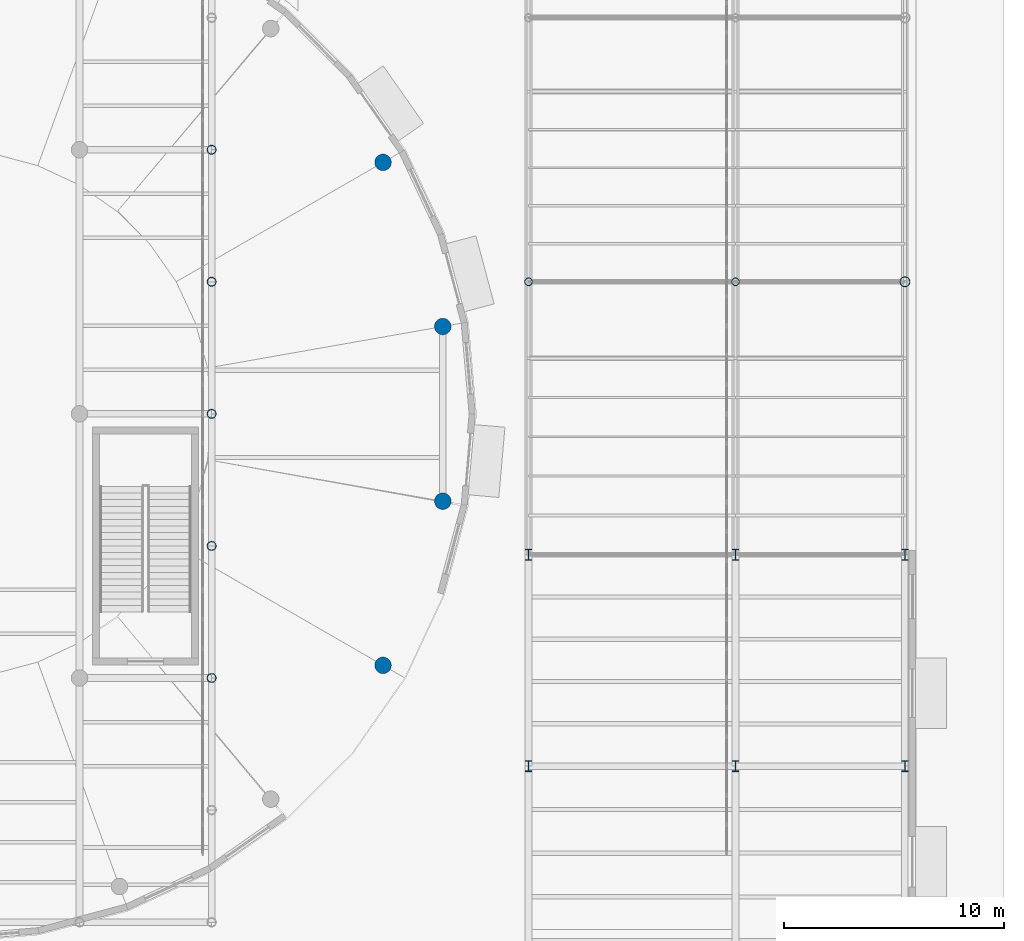
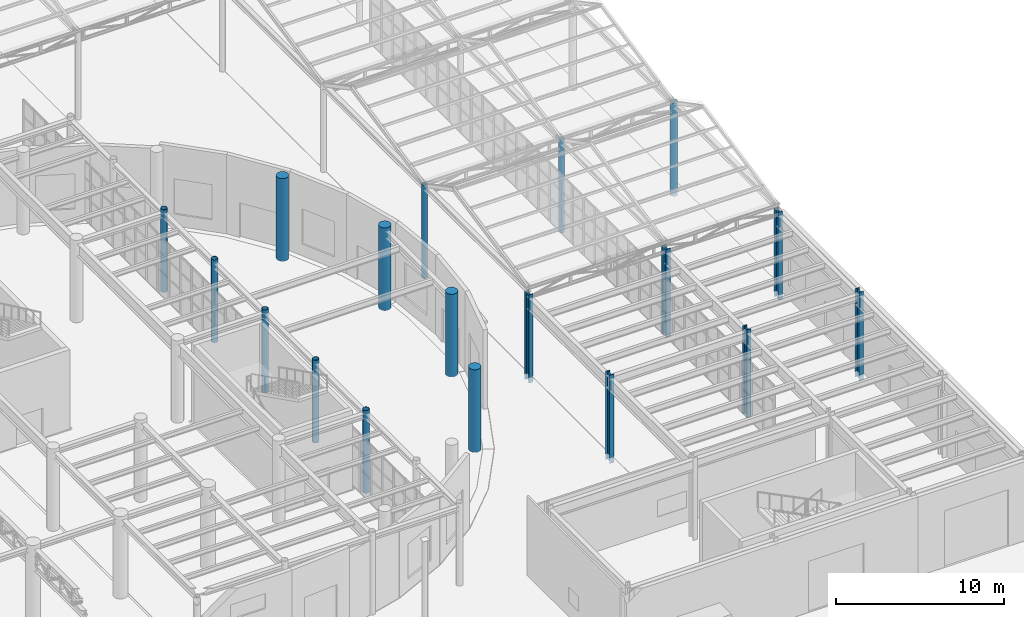
# One storey, part 14 of 118: 18 columns.
"""IFC4 building model written with IfcOpenShell, lengths in metres."""

from ifc_helpers import new_model, si_unit, direction, frame, origin, origin_2d, place, context, subcontext, project, spatial, circle, hollow_circle, i_section, extrude, material, material_profile, profile_set, type_object, element, save


model = new_model("IFC4")

# Units and contexts
model_context = context("Model", 3, precision=1e-05, world=origin(), true_north=direction((0.0, 1.0)))
body_context = subcontext(model_context, "Body", "Model", "MODEL_VIEW")
ifc_project = project(units=[si_unit("LENGTHUNIT", "METRE"), si_unit("AREAUNIT", "SQUARE_METRE"), si_unit("VOLUMEUNIT", "CUBIC_METRE"), si_unit("PLANEANGLEUNIT", "RADIAN"), si_unit("MASSUNIT", "GRAM", prefix="KILO")], contexts=[model_context])

# Site, building, storey
site_placement = place(None, origin())
site = spatial("IfcSite", under=ifc_project, at=site_placement, CompositionType="ELEMENT")
building_placement = place(site_placement, origin())
building = spatial("IfcBuilding", under=site, at=building_placement, Name="Kolvaren Corner Interchange", CompositionType="ELEMENT")
storey_placement = place(building_placement, origin())
storey = spatial("IfcBuildingStorey", under=building, at=storey_placement, Name="L01", CompositionType="ELEMENT", Elevation=0.0)

# Columns
ifc_material_1 = material(Name="Steel S355", Category="steel")
ifc_material_profile_1 = material_profile(ifc_material_1, hollow_circle(Radius=0.177734375, WallThickness=0.01416015625, at=origin_2d()), Name="CHS 355.6x14.2")
ifc_profile_set_1 = profile_set([ifc_material_profile_1], Name="Steel S355")
column_type_1 = type_object("IfcColumnType", Name="COL-CHS356", PredefinedType="COLUMN", material=ifc_profile_set_1)
for number, where, z_axis, x_axis, name in (
    (1, (146.39990234375, 54.0, -0.39990234375), (0.0, 0.0, 1.0), (1.0, 0.0, 0.0), "Storey L01 Structural Column 0962"),
    (2, (155.800048828125, 54.0, -0.39990234375), (0.0, 0.0, 1.0), (1.0, 0.0, 0.0), "Storey L01 Structural Column 0976"),
):
    element("IfcColumn", number, at=place(storey_placement, frame(where, z_axis=z_axis, x_axis=x_axis)), inside=storey, type_object=column_type_1, Name=name, PredefinedType="COLUMN", context=body_context, shape_type="SweptSolid", body=[
        extrude(hollow_circle(Radius=0.177734375, WallThickness=0.01416015625, at=origin_2d()), origin(), (0.0, 0.0, 1.0), 6.75),
    ])
ifc_material_2 = material(Name="Steel S355", Category="steel")
ifc_material_profile_2 = material_profile(ifc_material_2, hollow_circle(Radius=0.203125, WallThickness=0.01611328125, at=origin_2d()), Name="CHS 406.4x16.0")
ifc_profile_set_2 = profile_set([ifc_material_profile_2], Name="Steel S355")
column_type_2 = type_object("IfcColumnType", Name="COL-CHS406", PredefinedType="COLUMN", material=ifc_profile_set_2)
for number, where, z_axis, x_axis, name in (
    (3, (132.0, 36.0, 0.0), (0.0, 0.0, 1.0), (1.0, 0.0, 0.0), "Storey L01 Structural Column 0756"),
    (4, (132.0, 42.0, 0.0), (0.0, 0.0, 1.0), (1.0, 0.0, 0.0), "Storey L01 Structural Column 0760"),
    (5, (132.0, 48.0, 0.0), (0.0, 0.0, 1.0), (1.0, 0.0, 0.0), "Storey L01 Structural Column 0764"),
    (6, (132.0, 54.0, 0.0), (0.0, 0.0, 1.0), (1.0, 0.0, 0.0), "Storey L01 Structural Column 0768"),
    (7, (132.0, 60.0, 0.0), (0.0, 0.0, 1.0), (1.0, 0.0, 0.0), "Storey L01 Structural Column 0772"),
):
    element("IfcColumn", number, at=place(storey_placement, frame(where, z_axis=z_axis, x_axis=x_axis)), inside=storey, type_object=column_type_2, Name=name, PredefinedType="COLUMN", context=body_context, shape_type="SweptSolid", body=[
        extrude(hollow_circle(Radius=0.203125, WallThickness=0.01611328125, at=origin_2d()), origin(), (0.0, 0.0, 1.0), 6.0),
    ])
ifc_material_3 = material(Name="Steel S355", Category="steel")
ifc_material_profile_3 = material_profile(ifc_material_3, hollow_circle(Radius=0.228515625, WallThickness=0.01611328125, at=origin_2d()), Name="CHS 457.0x16.0")
ifc_profile_set_3 = profile_set([ifc_material_profile_3], Name="Steel S355")
column_type_3 = type_object("IfcColumnType", Name="COL-CHS457", PredefinedType="COLUMN", material=ifc_profile_set_3)
column_placement = place(storey_placement, frame((163.5, 54.0, -0.39990234375), z_axis=(0.0, 0.0, 1.0), x_axis=(1.0, 0.0, 0.0)))
element("IfcColumn", 8, at=column_placement, inside=storey, type_object=column_type_3, Name="Storey L01 Structural Column 0990", PredefinedType="COLUMN", context=body_context, shape_type="SweptSolid", body=[
    extrude(hollow_circle(Radius=0.228515625, WallThickness=0.01611328125, at=origin_2d()), origin(), (0.0, 0.0, 1.0), 6.75),
])
ifc_material_4 = material(Name="Steel S355", Category="steel")
ifc_material_profile_4 = material_profile(ifc_material_4, i_section(OverallWidth=0.300048828125, OverallDepth=0.5, WebThickness=0.014404296875, FlangeThickness=0.028076171875, FilletRadius=0.027099609375, at=origin_2d()), Name="HEB 500")
ifc_profile_set_4 = profile_set([ifc_material_profile_4], Name="Steel S355")
column_type_4 = type_object("IfcColumnType", Name="COL-HEB500", PredefinedType="COLUMN", material=ifc_profile_set_4)
for number, where, z_axis, x_axis, name in (
    (9, (146.39990234375, 32.0, -0.39990234375), (0.0, 0.0, 1.0), (1.0, 0.0, 0.0), "Storey L01 Structural Column 0958"),
    (10, (146.39990234375, 41.60009765625, -0.39990234375), (0.0, 0.0, 1.0), (1.0, 0.0, 0.0), "Storey L01 Structural Column 0960"),
    (11, (155.800048828125, 32.0, -0.39990234375), (0.0, 0.0, 1.0), (1.0, 0.0, 0.0), "Storey L01 Structural Column 0972"),
    (12, (155.800048828125, 41.60009765625, -0.39990234375), (0.0, 0.0, 1.0), (1.0, 0.0, 0.0), "Storey L01 Structural Column 0974"),
    (13, (163.5, 32.0, -0.39990234375), (0.0, 0.0, 1.0), (1.0, 0.0, 0.0), "Storey L01 Structural Column 0986"),
    (14, (163.5, 41.60009765625, -0.39990234375), (0.0, 0.0, 1.0), (1.0, 0.0, 0.0), "Storey L01 Structural Column 0988"),
):
    element("IfcColumn", number, at=place(storey_placement, frame(where, z_axis=z_axis, x_axis=x_axis)), inside=storey, type_object=column_type_4, Name=name, PredefinedType="COLUMN", context=body_context, shape_type="SweptSolid", body=[
        extrude(i_section(OverallWidth=0.300048828125, OverallDepth=0.5, WebThickness=0.014404296875, FlangeThickness=0.028076171875, FilletRadius=0.027099609375, at=origin_2d()), origin(), (0.0, 0.0, 1.0), 6.39990234375),
    ])
ifc_material_5 = material(Name="Concrete C35/45", Category="concrete")
ifc_material_profile_5 = material_profile(ifc_material_5, circle(Radius=0.375, at=origin_2d()), Name="RC COL D750")
ifc_profile_set_5 = profile_set([ifc_material_profile_5], Name="Concrete C35/45")
column_type_5 = type_object("IfcColumnType", Name="COL-RCD750", PredefinedType="COLUMN", material=ifc_profile_set_5)
for number, where, z_axis, x_axis, name in (
    (15, (139.7890625, 36.574951171875, 0.0), (0.0, 0.0, 1.0), (1.0, 0.0, 0.0), "Storey L01 Structural Column 0824"),
    (16, (142.5029296875, 44.031982421875, 0.0), (0.0, 0.0, 1.0), (1.0, 0.0, 0.0), "Storey L01 Structural Column 0828"),
    (17, (142.5029296875, 51.968017578125, 0.0), (0.0, 0.0, 1.0), (1.0, 0.0, 0.0), "Storey L01 Structural Column 0832"),
    (18, (139.7890625, 59.425048828125, 0.0), (0.0, 0.0, 1.0), (1.0, 0.0, 0.0), "Storey L01 Structural Column 0836"),
):
    element("IfcColumn", number, at=place(storey_placement, frame(where, z_axis=z_axis, x_axis=x_axis)), inside=storey, type_object=column_type_5, Name=name, PredefinedType="COLUMN", context=body_context, shape_type="SweptSolid", body=[
        extrude(circle(Radius=0.375, at=origin_2d()), origin(), (0.0, 0.0, 1.0), 6.0),
    ])

save(model, "model.ifc")
